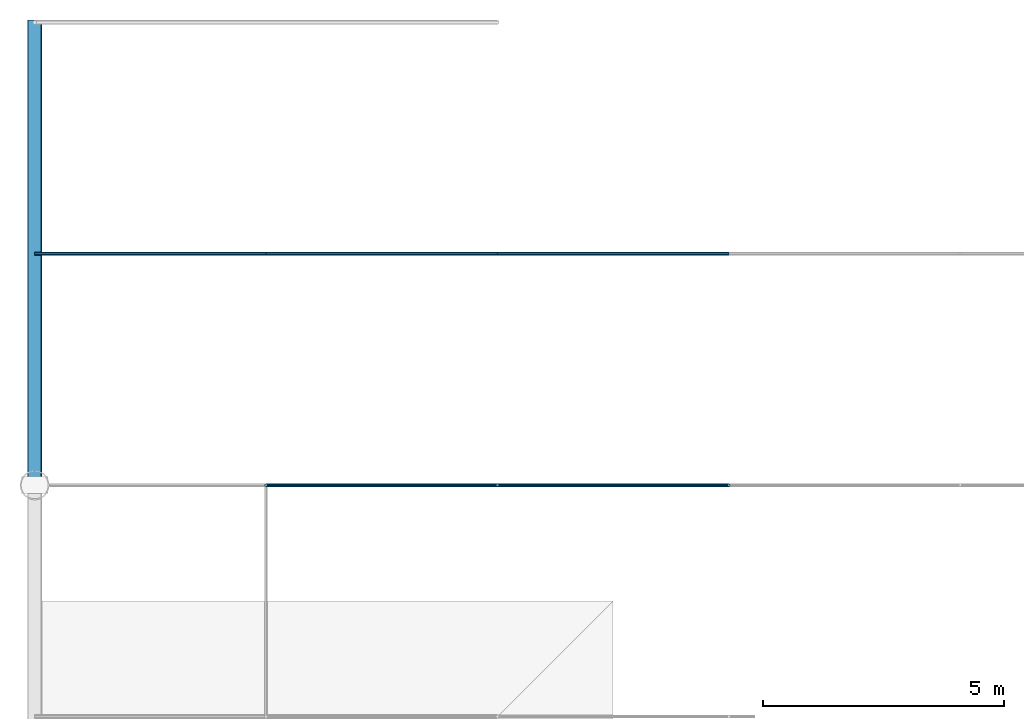
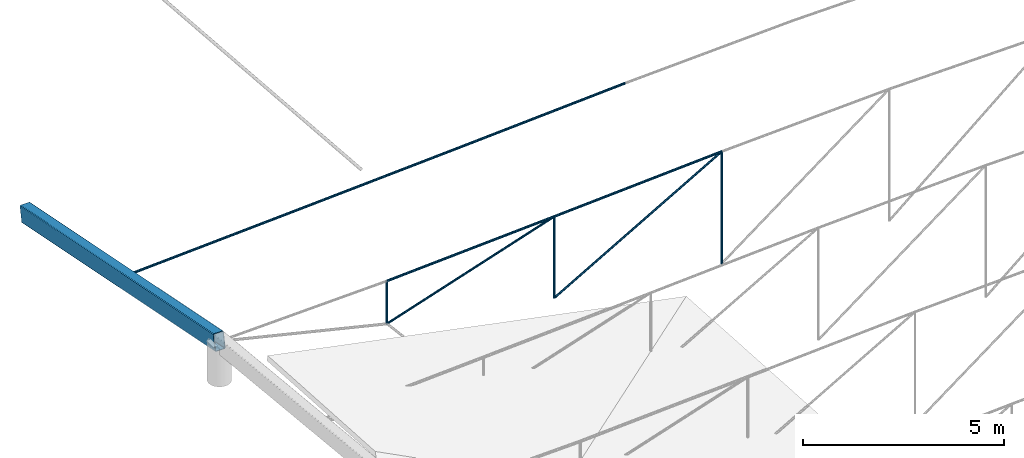
# One storey, part 30 of 50: 10 members, 1 beam.
"""IFC4 building model written with IfcOpenShell, lengths in metres."""

from ifc_helpers import new_model, si_unit, direction, frame, origin, origin_2d, place, context, subcontext, project, spatial, hollow_rectangle, circle, extrude, material, material_profile, profile_set, type_object, element, save


model = new_model("IFC4")

# Units and contexts
model_context = context("Model", 3, precision=1e-05, world=origin(), true_north=direction((0.0, 1.0)))
body_context = subcontext(model_context, "Body", "Model", "MODEL_VIEW")
ifc_project = project(units=[si_unit("LENGTHUNIT", "METRE"), si_unit("AREAUNIT", "SQUARE_METRE"), si_unit("VOLUMEUNIT", "CUBIC_METRE"), si_unit("PLANEANGLEUNIT", "RADIAN"), si_unit("MASSUNIT", "GRAM", prefix="KILO")], contexts=[model_context])

# Site, building, storey
site_placement = place(None, origin())
site = spatial("IfcSite", under=ifc_project, at=site_placement, CompositionType="ELEMENT")
building_placement = place(site_placement, origin())
building = spatial("IfcBuilding", under=site, at=building_placement, Name="Zevrakil Square Congress Hotel", CompositionType="ELEMENT")
storey_placement = place(building_placement, frame((0.0, 0.0, 21.5)))
storey = spatial("IfcBuildingStorey", under=building, at=storey_placement, Name="L06", CompositionType="ELEMENT", Elevation=21.5)

# Members
ifc_material_1 = material(Name="Steel S355", Category="steel")
ifc_material_profile_1 = material_profile(ifc_material_1, circle(Radius=0.030029296875, at=origin_2d()), Name="CABLE RD60")
ifc_profile_set_1 = profile_set([ifc_material_profile_1], Name="Steel S355")
member_type_1 = type_object("IfcMemberType", Name="MEM-CABLE-RD60", PredefinedType="USERDEFINED", material=ifc_profile_set_1)
member_1_placement = place(storey_placement, frame((122.39990234375, 103.199951171875, 0.01806640625), z_axis=(0.0, 0.0, 1.0), x_axis=(1.0, 0.0, 0.0)))
element("IfcMember", 1, at=member_1_placement, inside=storey, type_object=member_type_1, Name="Congress cable-truss vertical tie CBW-08-1", ObjectType="ROOF CABLE", PredefinedType="USERDEFINED", context=body_context, shape_type="SweptSolid", body=[
    extrude(circle(Radius=0.030029296875, at=origin_2d()), origin(), (0.0, 0.0, 1.0), 1.2978515625),
])
member_2_placement = place(storey_placement, frame((122.39990234375, 103.199951171875, 0.01806640625), z_axis=(0.95029004287, 0.0, 0.311366077828), x_axis=(0.0, 1.0, 0.0)))
element("IfcMember", 2, at=member_2_placement, inside=storey, type_object=member_type_1, Name="Congress cable-truss web diagonal CBD-08-2", ObjectType="ROOF CABLE", PredefinedType="USERDEFINED", context=body_context, shape_type="SweptSolid", body=[
    extrude(circle(Radius=0.030029296875, at=origin_2d()), origin(), (0.0, 0.0, 1.0), 5.051025390625),
])
member_3_placement = place(storey_placement, frame((127.199951171875, 103.199951171875, -0.8779296875), z_axis=(0.0, 0.0, 1.0), x_axis=(1.0, 0.0, 0.0)))
element("IfcMember", 3, at=member_3_placement, inside=storey, type_object=member_type_1, Name="Congress cable-truss vertical tie CBW-08-2", ObjectType="ROOF CABLE", PredefinedType="USERDEFINED", context=body_context, shape_type="SweptSolid", body=[
    extrude(circle(Radius=0.030029296875, at=origin_2d()), origin(), (0.0, 0.0, 1.0), 2.46875),
])
member_4_placement = place(storey_placement, frame((127.199951171875, 103.199951171875, -0.8779296875), z_axis=(0.867079197454, 0.0, 0.498170317605), x_axis=(0.0, 1.0, 0.0)))
element("IfcMember", 4, at=member_4_placement, inside=storey, type_object=member_type_1, Name="Congress cable-truss web diagonal CBD-08-3", ObjectType="ROOF CABLE", PredefinedType="USERDEFINED", context=body_context, shape_type="SweptSolid", body=[
    extrude(circle(Radius=0.030029296875, at=origin_2d()), origin(), (0.0, 0.0, 1.0), 5.535888671875),
])
member_5_placement = place(storey_placement, frame((132.0, 103.199951171875, -1.51806640625), z_axis=(0.0, 0.0, 1.0), x_axis=(1.0, 0.0, 0.0)))
element("IfcMember", 5, at=member_5_placement, inside=storey, type_object=member_type_1, Name="Congress cable-truss vertical tie CBW-08-3", ObjectType="ROOF CABLE", PredefinedType="USERDEFINED", context=body_context, shape_type="SweptSolid", body=[
    extrude(circle(Radius=0.030029296875, at=origin_2d()), origin(), (0.0, 0.0, 1.0), 3.39794921875),
])
ifc_material_2 = material(Name="Steel S355", Category="steel")
ifc_material_profile_2 = material_profile(ifc_material_2, circle(Radius=0.033935546875, at=origin_2d()), Name="CABLE RD68")
ifc_profile_set_2 = profile_set([ifc_material_profile_2], Name="Steel S355")
member_type_2 = type_object("IfcMemberType", Name="MEM-CABLE-RD68", PredefinedType="USERDEFINED", material=ifc_profile_set_2)
member_6_placement = place(storey_placement, frame((122.39990234375, 103.199951171875, 1.31591796875), z_axis=(0.998364054477, 0.0, 0.057177047217), x_axis=(0.0, 1.0, 0.0)))
element("IfcMember", 6, at=member_6_placement, inside=storey, type_object=member_type_2, Name="Congress lenticular upper cable chord CBU-08 seg 2", ObjectType="ROOF CABLE", PredefinedType="USERDEFINED", context=body_context, shape_type="SweptSolid", body=[
    extrude(circle(Radius=0.033935546875, at=origin_2d()), origin(), (0.0, 0.0, 1.0), 4.807861328125),
])
member_7_placement = place(storey_placement, frame((127.199951171875, 103.199951171875, 1.5908203125), z_axis=(0.998191648201, 0.0, 0.060111841283), x_axis=(0.0, 1.0, 0.0)))
element("IfcMember", 7, at=member_7_placement, inside=storey, type_object=member_type_2, Name="Congress lenticular upper cable chord CBU-08 seg 3", ObjectType="ROOF CABLE", PredefinedType="USERDEFINED", context=body_context, shape_type="SweptSolid", body=[
    extrude(circle(Radius=0.033935546875, at=origin_2d()), origin(), (0.0, 0.0, 1.0), 4.808837890625),
])
member_8_placement = place(storey_placement, frame((117.60009765625, 108.0, 0.2099609375), z_axis=(0.998469403376, 0.0, 0.055306875904), x_axis=(0.0, 1.0, 0.0)))
element("IfcMember", 8, at=member_8_placement, inside=storey, type_object=member_type_2, Name="Congress lenticular upper cable chord CBU-09 seg 1", ObjectType="ROOF CABLE", PredefinedType="USERDEFINED", context=body_context, shape_type="SweptSolid", body=[
    extrude(circle(Radius=0.033935546875, at=origin_2d()), origin(), (0.0, 0.0, 1.0), 4.80712890625),
])
member_9_placement = place(storey_placement, frame((122.39990234375, 108.0, 0.475830078125), z_axis=(0.998364054477, 0.0, 0.057177047217), x_axis=(0.0, 1.0, 0.0)))
element("IfcMember", 9, at=member_9_placement, inside=storey, type_object=member_type_2, Name="Congress lenticular upper cable chord CBU-09 seg 2", ObjectType="ROOF CABLE", PredefinedType="USERDEFINED", context=body_context, shape_type="SweptSolid", body=[
    extrude(circle(Radius=0.033935546875, at=origin_2d()), origin(), (0.0, 0.0, 1.0), 4.807861328125),
])
member_10_placement = place(storey_placement, frame((127.199951171875, 108.0, 0.750732421875), z_axis=(0.998191648201, 0.0, 0.060111841283), x_axis=(0.0, 1.0, 0.0)))
element("IfcMember", 10, at=member_10_placement, inside=storey, type_object=member_type_2, Name="Congress lenticular upper cable chord CBU-09 seg 3", ObjectType="ROOF CABLE", PredefinedType="USERDEFINED", context=body_context, shape_type="SweptSolid", body=[
    extrude(circle(Radius=0.033935546875, at=origin_2d()), origin(), (0.0, 0.0, 1.0), 4.808837890625),
])

# Beam
ifc_material_3 = material(Name="Steel S355", Category="steel")
ifc_material_profile_3 = material_profile(ifc_material_3, hollow_rectangle(XDim=0.300048828125, YDim=0.5, WallThickness=0.02001953125, InnerFilletRadius=0.02001953125, OuterFilletRadius=0.0400390625, at=origin_2d()), Name="RHS 500x300x20")
ifc_profile_set_3 = profile_set([ifc_material_profile_3], Name="Steel S355")
beam_type = type_object("IfcBeamType", Name="RNG-RHS500", PredefinedType="USERDEFINED", material=ifc_profile_set_3)
beam_placement = place(storey_placement, frame((117.60009765625, 112.800048828125, -0.75), z_axis=(0.0, -0.980582593894, 0.196106543878), x_axis=(1.0, 0.0, 0.0)))
element("IfcBeam", 11, at=beam_placement, inside=storey, type_object=beam_type, Name="Congress Hall compression ring beam RB-16", ObjectType="RING BEAM", PredefinedType="USERDEFINED", context=body_context, shape_type="SweptSolid", body=[
    extrude(hollow_rectangle(XDim=0.300048828125, YDim=0.5, WallThickness=0.02001953125, InnerFilletRadius=0.02001953125, OuterFilletRadius=0.0400390625, at=origin_2d()), origin(), (0.0, 0.0, 1.0), 9.790283203125),
])

save(model, "model.ifc")
